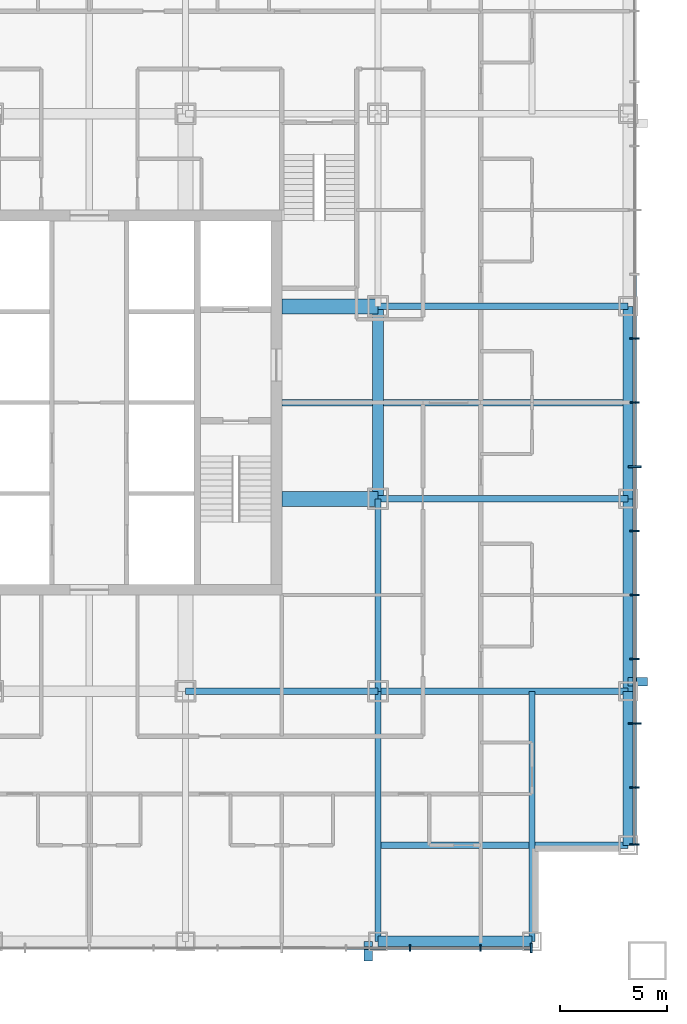
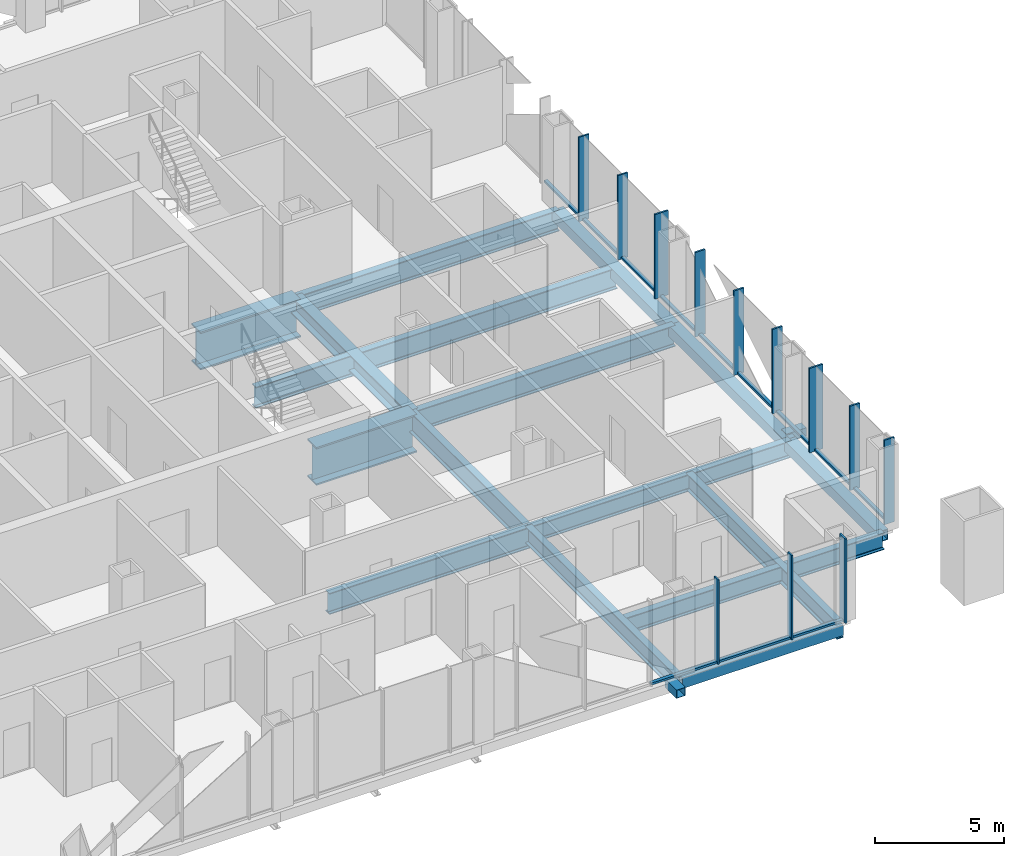
# One storey, part 3 of 13: 26 members, 16 beams, 2 elements without a shape of their own.
"""IFC4 building model written with IfcOpenShell, lengths in metres."""

from ifc_helpers import new_model, si_unit, direction, frame, origin, origin_2d, place, context, subcontext, project, spatial, rectangle, hollow_rectangle, i_section, extrude, material, layer, layer_set, material_profile, profile_set, type_object, element, aggregate, save


model = new_model("IFC4")

# Units and contexts
model_context = context("Model", 3, precision=1e-05, world=origin(), true_north=direction((0.0, 1.0)))
body_context = subcontext(model_context, "Body", "Model", "MODEL_VIEW")
ifc_project = project(units=[si_unit("LENGTHUNIT", "METRE"), si_unit("AREAUNIT", "SQUARE_METRE"), si_unit("VOLUMEUNIT", "CUBIC_METRE"), si_unit("PLANEANGLEUNIT", "RADIAN"), si_unit("MASSUNIT", "GRAM", prefix="KILO")], contexts=[model_context])

# Site, building, storey
site_placement = place(None, origin())
site = spatial("IfcSite", under=ifc_project, at=site_placement, CompositionType="ELEMENT")
building_placement = place(site_placement, origin())
building = spatial("IfcBuilding", under=site, at=building_placement, Name="Malebo Sky Hospital", CompositionType="ELEMENT")
storey_placement = place(building_placement, frame((0.0, 0.0, 39.0)))
storey = spatial("IfcBuildingStorey", under=building, at=storey_placement, Name="L08", CompositionType="ELEMENT", Elevation=39.0)

# Curtain wall, members
ifc_material_1 = material(Name="Anodised aluminium, natural silver", Category="aluminium")
ifc_layer_1 = layer(ifc_material_1, 0.25)
ifc_layer_set_1 = layer_set([ifc_layer_1], Name="WARD CURTAIN WALL NORTH AND SOUTH")
curtain_wall_type_1 = type_object("IfcCurtainWallType", Name="WARD CURTAIN WALL NORTH AND SOUTH", PredefinedType="NOTDEFINED", material=ifc_layer_set_1)
curtain_wall_1_placement = place(storey_placement, origin())
curtain_wall_1 = element("IfcCurtainWall", 1, at=curtain_wall_1_placement, inside=storey, type_object=curtain_wall_type_1, Name="NS curtain wall S", PredefinedType="NOTDEFINED")
ifc_material_profile_1 = material_profile(ifc_material_1, rectangle(XDim=0.14990234375, YDim=0.10009765625, at=origin_2d()), Name="ALUMINIUM TRANSOM 150x100")
ifc_profile_set_1 = profile_set([ifc_material_profile_1], Name="Anodised aluminium, natural silver")
member_type_1 = type_object("IfcMemberType", Name="ALUMINIUM TRANSOM 150x100", PredefinedType="USERDEFINED", material=ifc_profile_set_1)
member_1_placement = place(storey_placement, frame((80.625, 36.5, 0.050048828125), z_axis=(-1.0, 0.0, 0.0), x_axis=(0.0, -1.0, 0.0)))
member_1 = element("IfcMember", 2, at=member_1_placement, type_object=member_type_1, Name="Transom 1", ObjectType="TRANSOM", PredefinedType="USERDEFINED", context=body_context, shape_type="SweptSolid", body=[
    extrude(rectangle(XDim=0.14990234375, YDim=0.10009765625, at=origin_2d()), origin(), (0.0, 0.0, 1.0), 2.28759765625),
])
member_2_placement = place(storey_placement, frame((78.262451171875, 36.5, 0.050048828125), z_axis=(-1.0, 0.0, 0.0), x_axis=(0.0, -1.0, 0.0)))
member_2 = element("IfcMember", 3, at=member_2_placement, type_object=member_type_1, Name="Transom 2", ObjectType="TRANSOM", PredefinedType="USERDEFINED", context=body_context, shape_type="SweptSolid", body=[
    extrude(rectangle(XDim=0.14990234375, YDim=0.10009765625, at=origin_2d()), origin(), (0.0, 0.0, 1.0), 3.224853515625),
])
member_3_placement = place(storey_placement, frame((74.96240234375, 36.5, 0.050048828125), z_axis=(-1.0, 0.0, 0.0), x_axis=(0.0, -1.0, 0.0)))
member_3 = element("IfcMember", 4, at=member_3_placement, type_object=member_type_1, Name="Transom 3", ObjectType="TRANSOM", PredefinedType="USERDEFINED", context=body_context, shape_type="SweptSolid", body=[
    extrude(rectangle(XDim=0.14990234375, YDim=0.10009765625, at=origin_2d()), origin(), (0.0, 0.0, 1.0), 2.9248046875),
])

ifc_layer_2 = layer(ifc_material_1, 0.25)
ifc_layer_set_2 = layer_set([ifc_layer_2], Name="WARD CURTAIN WALL EAST AND WEST")
curtain_wall_type_2 = type_object("IfcCurtainWallType", Name="WARD CURTAIN WALL EAST AND WEST", PredefinedType="NOTDEFINED", material=ifc_layer_set_2)
curtain_wall_2_placement = place(storey_placement, origin())
curtain_wall_2 = element("IfcCurtainWall", 5, at=curtain_wall_2_placement, inside=storey, type_object=curtain_wall_type_2, Name="EW curtain wall E", PredefinedType="NOTDEFINED")
member_4_placement = place(storey_placement, frame((85.5, 67.96240234375, 0.050048828125), z_axis=(0.0, -1.0, 0.0), x_axis=(1.0, 0.0, 0.0)))
member_4 = element("IfcMember", 6, at=member_4_placement, type_object=member_type_1, Name="Transom 6", ObjectType="TRANSOM", PredefinedType="USERDEFINED", context=body_context, shape_type="SweptSolid", body=[
    extrude(rectangle(XDim=0.14990234375, YDim=0.10009765625, at=origin_2d()), origin(), (0.0, 0.0, 1.0), 2.9248046875),
])
member_5_placement = place(storey_placement, frame((85.5, 64.96240234375, 0.050048828125), z_axis=(0.0, -1.0, 0.0), x_axis=(1.0, 0.0, 0.0)))
member_5 = element("IfcMember", 7, at=member_5_placement, type_object=member_type_1, Name="Transom 7", ObjectType="TRANSOM", PredefinedType="USERDEFINED", context=body_context, shape_type="SweptSolid", body=[
    extrude(rectangle(XDim=0.14990234375, YDim=0.10009765625, at=origin_2d()), origin(), (0.0, 0.0, 1.0), 2.9248046875),
])
member_6_placement = place(storey_placement, frame((85.5, 61.96240234375, 0.050048828125), z_axis=(0.0, -1.0, 0.0), x_axis=(1.0, 0.0, 0.0)))
member_6 = element("IfcMember", 8, at=member_6_placement, type_object=member_type_1, Name="Transom 8", ObjectType="TRANSOM", PredefinedType="USERDEFINED", context=body_context, shape_type="SweptSolid", body=[
    extrude(rectangle(XDim=0.14990234375, YDim=0.10009765625, at=origin_2d()), origin(), (0.0, 0.0, 1.0), 2.9248046875),
])
member_7_placement = place(storey_placement, frame((85.5, 58.96240234375, 0.050048828125), z_axis=(0.0, -1.0, 0.0), x_axis=(1.0, 0.0, 0.0)))
member_7 = element("IfcMember", 9, at=member_7_placement, type_object=member_type_1, Name="Transom 9", ObjectType="TRANSOM", PredefinedType="USERDEFINED", context=body_context, shape_type="SweptSolid", body=[
    extrude(rectangle(XDim=0.14990234375, YDim=0.10009765625, at=origin_2d()), origin(), (0.0, 0.0, 1.0), 2.9248046875),
])
member_8_placement = place(storey_placement, frame((85.5, 55.96240234375, 0.050048828125), z_axis=(0.0, -1.0, 0.0), x_axis=(1.0, 0.0, 0.0)))
member_8 = element("IfcMember", 10, at=member_8_placement, type_object=member_type_1, Name="Transom 10", ObjectType="TRANSOM", PredefinedType="USERDEFINED", context=body_context, shape_type="SweptSolid", body=[
    extrude(rectangle(XDim=0.14990234375, YDim=0.10009765625, at=origin_2d()), origin(), (0.0, 0.0, 1.0), 2.9248046875),
])
member_9_placement = place(storey_placement, frame((85.5, 52.96240234375, 0.050048828125), z_axis=(0.0, -1.0, 0.0), x_axis=(1.0, 0.0, 0.0)))
member_9 = element("IfcMember", 11, at=member_9_placement, type_object=member_type_1, Name="Transom 11", ObjectType="TRANSOM", PredefinedType="USERDEFINED", context=body_context, shape_type="SweptSolid", body=[
    extrude(rectangle(XDim=0.14990234375, YDim=0.10009765625, at=origin_2d()), origin(), (0.0, 0.0, 1.0), 2.9248046875),
])
member_10_placement = place(storey_placement, frame((85.5, 49.96240234375, 0.050048828125), z_axis=(0.0, -1.0, 0.0), x_axis=(1.0, 0.0, 0.0)))
member_10 = element("IfcMember", 12, at=member_10_placement, type_object=member_type_1, Name="Transom 12", ObjectType="TRANSOM", PredefinedType="USERDEFINED", context=body_context, shape_type="SweptSolid", body=[
    extrude(rectangle(XDim=0.14990234375, YDim=0.10009765625, at=origin_2d()), origin(), (0.0, 0.0, 1.0), 2.9248046875),
])
member_11_placement = place(storey_placement, frame((85.5, 46.96240234375, 0.050048828125), z_axis=(0.0, -1.0, 0.0), x_axis=(1.0, 0.0, 0.0)))
member_11 = element("IfcMember", 13, at=member_11_placement, type_object=member_type_1, Name="Transom 13", ObjectType="TRANSOM", PredefinedType="USERDEFINED", context=body_context, shape_type="SweptSolid", body=[
    extrude(rectangle(XDim=0.14990234375, YDim=0.10009765625, at=origin_2d()), origin(), (0.0, 0.0, 1.0), 2.9248046875),
])
member_12_placement = place(storey_placement, frame((85.5, 43.96240234375, 0.050048828125), z_axis=(0.0, -1.0, 0.0), x_axis=(1.0, 0.0, 0.0)))
member_12 = element("IfcMember", 14, at=member_12_placement, type_object=member_type_1, Name="Transom 14", ObjectType="TRANSOM", PredefinedType="USERDEFINED", context=body_context, shape_type="SweptSolid", body=[
    extrude(rectangle(XDim=0.14990234375, YDim=0.10009765625, at=origin_2d()), origin(), (0.0, 0.0, 1.0), 2.58740234375),
])

# Members
ifc_material_2 = material(Name="Steel S355", Category="steel")
ifc_material_profile_2 = material_profile(ifc_material_2, hollow_rectangle(XDim=0.39990234375, YDim=0.39990234375, WallThickness=0.02001953125, at=origin_2d()), Name="SHS 400x20")
ifc_profile_set_2 = profile_set([ifc_material_profile_2], Name="Steel S355")
member_type_2 = type_object("IfcMemberType", Name="BRACE STRUT SHS 400x20", PredefinedType="STRUT", material=ifc_profile_set_2)
for number, where, z_axis, x_axis, name in (
    (15, (73.050048828125, 35.89990234375, -0.39990234375), (0.0, 1.0, 0.0), (-1.0, 0.0, 0.0), "Brace strut AS2 L08"),
    (16, (86.10009765625, 48.949951171875, -0.39990234375), (-1.0, 0.0, 0.0), (0.0, -1.0, 0.0), "Brace strut AE1 L08"),
):
    element("IfcMember", number, at=place(storey_placement, frame(where, z_axis=z_axis, x_axis=x_axis)), inside=storey, type_object=member_type_2, Name=name, PredefinedType="STRUT", context=body_context, shape_type="SweptSolid", body=[
        extrude(hollow_rectangle(XDim=0.39990234375, YDim=0.39990234375, WallThickness=0.02001953125, at=origin_2d()), origin(), (0.0, 0.0, 1.0), 0.900146484375),
    ])

# Member
ifc_material_profile_3 = material_profile(ifc_material_1, rectangle(XDim=0.074951171875, YDim=0.300048828125, at=origin_2d()), Name="CW1 ALUMINIUM FIN MULLION 75x300")
ifc_profile_set_3 = profile_set([ifc_material_profile_3], Name="Anodised aluminium, natural silver")
member_type_3 = type_object("IfcMemberType", Name="CW1 ALUMINIUM FIN MULLION 75x300", PredefinedType="MULLION", material=ifc_profile_set_3)
member_13_placement = place(storey_placement, frame((78.300048828125, 36.5, 0.0), z_axis=(0.0, 0.0, 1.0), x_axis=(-1.0, 0.0, 0.0)))
member_13 = element("IfcMember", 17, at=member_13_placement, type_object=member_type_3, Name="Fin mullion 2", PredefinedType="MULLION", context=body_context, shape_type="SweptSolid", body=[
    extrude(rectangle(XDim=0.074951171875, YDim=0.300048828125, at=origin_2d()), origin(), (0.0, 0.0, 1.0), 4.0),
])

member_14_placement = place(storey_placement, frame((75.0, 36.5, 0.0), z_axis=(0.0, 0.0, 1.0), x_axis=(-1.0, 0.0, 0.0)))
member_14 = element("IfcMember", 18, at=member_14_placement, type_object=member_type_3, Name="Fin mullion 3", PredefinedType="MULLION", context=body_context, shape_type="SweptSolid", body=[
    extrude(rectangle(XDim=0.074951171875, YDim=0.300048828125, at=origin_2d()), origin(), (0.0, 0.0, 1.0), 4.0),
])

ifc_material_profile_4 = material_profile(ifc_material_1, rectangle(XDim=0.074951171875, YDim=0.449951171875, at=origin_2d()), Name="CW1 ALUMINIUM FIN MULLION 75x450")
ifc_profile_set_4 = profile_set([ifc_material_profile_4], Name="Anodised aluminium, natural silver")
member_type_4 = type_object("IfcMemberType", Name="CW1 ALUMINIUM FIN MULLION 75x450", PredefinedType="MULLION", material=ifc_profile_set_4)
member_15_placement = place(storey_placement, frame((80.66259765625, 36.5, 0.0), z_axis=(0.0, 0.0, 1.0), x_axis=(-1.0, 0.0, 0.0)))
member_15 = element("IfcMember", 19, at=member_15_placement, type_object=member_type_4, Name="Fin mullion 1", PredefinedType="MULLION", context=body_context, shape_type="SweptSolid", body=[
    extrude(rectangle(XDim=0.074951171875, YDim=0.449951171875, at=origin_2d()), origin(), (0.0, 0.0, 1.0), 4.0),
])

aggregate(curtain_wall_1, [member_15, member_13, member_14, member_1, member_2, member_3])

ifc_material_profile_5 = material_profile(ifc_material_1, rectangle(XDim=0.074951171875, YDim=0.449951171875, at=origin_2d()), Name="CW2 ALUMINIUM FIN MULLION 75x450")
ifc_profile_set_5 = profile_set([ifc_material_profile_5], Name="Anodised aluminium, natural silver")
member_type_5 = type_object("IfcMemberType", Name="CW2 ALUMINIUM FIN MULLION 75x450", PredefinedType="MULLION", material=ifc_profile_set_5)
member_16_placement = place(storey_placement, frame((85.5, 65.0, 0.0), z_axis=(0.0, 0.0, 1.0), x_axis=(0.0, -1.0, 0.0)))
member_16 = element("IfcMember", 20, at=member_16_placement, type_object=member_type_5, Name="Fin mullion 7", PredefinedType="MULLION", context=body_context, shape_type="SweptSolid", body=[
    extrude(rectangle(XDim=0.074951171875, YDim=0.449951171875, at=origin_2d()), origin(), (0.0, 0.0, 1.0), 4.0),
])

member_17_placement = place(storey_placement, frame((85.5, 62.0, 0.0), z_axis=(0.0, 0.0, 1.0), x_axis=(0.0, -1.0, 0.0)))
member_17 = element("IfcMember", 21, at=member_17_placement, type_object=member_type_5, Name="Fin mullion 8", PredefinedType="MULLION", context=body_context, shape_type="SweptSolid", body=[
    extrude(rectangle(XDim=0.074951171875, YDim=0.449951171875, at=origin_2d()), origin(), (0.0, 0.0, 1.0), 4.0),
])

member_18_placement = place(storey_placement, frame((85.5, 56.0, 0.0), z_axis=(0.0, 0.0, 1.0), x_axis=(0.0, -1.0, 0.0)))
member_18 = element("IfcMember", 22, at=member_18_placement, type_object=member_type_5, Name="Fin mullion 10", PredefinedType="MULLION", context=body_context, shape_type="SweptSolid", body=[
    extrude(rectangle(XDim=0.074951171875, YDim=0.449951171875, at=origin_2d()), origin(), (0.0, 0.0, 1.0), 4.0),
])

member_19_placement = place(storey_placement, frame((85.5, 53.0, 0.0), z_axis=(0.0, 0.0, 1.0), x_axis=(0.0, -1.0, 0.0)))
member_19 = element("IfcMember", 23, at=member_19_placement, type_object=member_type_5, Name="Fin mullion 11", PredefinedType="MULLION", context=body_context, shape_type="SweptSolid", body=[
    extrude(rectangle(XDim=0.074951171875, YDim=0.449951171875, at=origin_2d()), origin(), (0.0, 0.0, 1.0), 4.0),
])

member_20_placement = place(storey_placement, frame((85.5, 50.0, 0.0), z_axis=(0.0, 0.0, 1.0), x_axis=(0.0, -1.0, 0.0)))
member_20 = element("IfcMember", 24, at=member_20_placement, type_object=member_type_5, Name="Fin mullion 12", PredefinedType="MULLION", context=body_context, shape_type="SweptSolid", body=[
    extrude(rectangle(XDim=0.074951171875, YDim=0.449951171875, at=origin_2d()), origin(), (0.0, 0.0, 1.0), 4.0),
])

member_21_placement = place(storey_placement, frame((85.5, 44.0, 0.0), z_axis=(0.0, 0.0, 1.0), x_axis=(0.0, -1.0, 0.0)))
member_21 = element("IfcMember", 25, at=member_21_placement, type_object=member_type_5, Name="Fin mullion 14", PredefinedType="MULLION", context=body_context, shape_type="SweptSolid", body=[
    extrude(rectangle(XDim=0.074951171875, YDim=0.449951171875, at=origin_2d()), origin(), (0.0, 0.0, 1.0), 4.0),
])

member_22_placement = place(storey_placement, frame((85.5, 41.33740234375, 0.0), z_axis=(0.0, 0.0, 1.0), x_axis=(0.0, -1.0, 0.0)))
member_22 = element("IfcMember", 26, at=member_22_placement, type_object=member_type_5, Name="Fin mullion 15", PredefinedType="MULLION", context=body_context, shape_type="SweptSolid", body=[
    extrude(rectangle(XDim=0.074951171875, YDim=0.449951171875, at=origin_2d()), origin(), (0.0, 0.0, 1.0), 4.0),
])

ifc_material_profile_6 = material_profile(ifc_material_1, rectangle(XDim=0.074951171875, YDim=0.60009765625, at=origin_2d()), Name="CW2 ALUMINIUM FIN MULLION 75x600")
ifc_profile_set_6 = profile_set([ifc_material_profile_6], Name="Anodised aluminium, natural silver")
member_type_6 = type_object("IfcMemberType", Name="CW2 ALUMINIUM FIN MULLION 75x600", PredefinedType="MULLION", material=ifc_profile_set_6)
member_23_placement = place(storey_placement, frame((85.5, 59.0, 0.0), z_axis=(0.0, 0.0, 1.0), x_axis=(0.0, -1.0, 0.0)))
member_23 = element("IfcMember", 27, at=member_23_placement, type_object=member_type_6, Name="Fin mullion 9", PredefinedType="MULLION", context=body_context, shape_type="SweptSolid", body=[
    extrude(rectangle(XDim=0.074951171875, YDim=0.60009765625, at=origin_2d()), origin(), (0.0, 0.0, 1.0), 4.0),
])

member_24_placement = place(storey_placement, frame((85.5, 47.0, 0.0), z_axis=(0.0, 0.0, 1.0), x_axis=(0.0, -1.0, 0.0)))
member_24 = element("IfcMember", 28, at=member_24_placement, type_object=member_type_6, Name="Fin mullion 13", PredefinedType="MULLION", context=body_context, shape_type="SweptSolid", body=[
    extrude(rectangle(XDim=0.074951171875, YDim=0.60009765625, at=origin_2d()), origin(), (0.0, 0.0, 1.0), 4.0),
])

aggregate(curtain_wall_2, [member_16, member_17, member_23, member_18, member_19, member_20, member_24, member_21, member_22, member_4, member_5, member_6, member_7, member_8, member_9, member_10, member_11, member_12])

# Beams
ifc_material_3 = material(Name="Steel S460", Category="steel")
ifc_material_profile_7 = material_profile(ifc_material_3, hollow_rectangle(XDim=0.5, YDim=0.5, WallThickness=0.030029296875, at=origin_2d()), Name="BOX 500x500x30")
ifc_profile_set_7 = profile_set([ifc_material_profile_7], Name="Steel S460")
beam_type_1 = type_object("IfcBeamType", Name="EDGE BEAM BOX 500x500x30", PredefinedType="BEAM", material=ifc_profile_set_7)
beam_1_placement = place(storey_placement, frame((85.199951171875, 41.300048828125, -0.5), z_axis=(0.0, 1.0, 0.0), x_axis=(-1.0, 0.0, 0.0)))
element("IfcBeam", 29, at=beam_1_placement, inside=storey, type_object=beam_type_1, Name="Beam 029 L08", PredefinedType="BEAM", context=body_context, shape_type="SweptSolid", body=[
    extrude(hollow_rectangle(XDim=0.5, YDim=0.5, WallThickness=0.030029296875, at=origin_2d()), origin(), (0.0, 0.0, 1.0), 7.199951171875),
])
for number, where, z_axis, x_axis, name in (
    (30, (85.199951171875, 48.5, -0.5), (0.0, 1.0, 0.0), (-1.0, 0.0, 0.0), "Beam 030 L08"),
    (31, (85.199951171875, 57.5, -0.5), (0.0, 1.0, 0.0), (-1.0, 0.0, 0.0), "Beam 031 L08"),
):
    element("IfcBeam", number, at=place(storey_placement, frame(where, z_axis=z_axis, x_axis=x_axis)), inside=storey, type_object=beam_type_1, Name=name, PredefinedType="BEAM", context=body_context, shape_type="SweptSolid", body=[
        extrude(hollow_rectangle(XDim=0.5, YDim=0.5, WallThickness=0.030029296875, at=origin_2d()), origin(), (0.0, 0.0, 1.0), 9.0),
    ])
beam_2_placement = place(storey_placement, frame((73.5, 36.800048828125, -0.5), z_axis=(1.0, 0.0, 0.0), x_axis=(0.0, 1.0, 0.0)))
element("IfcBeam", 32, at=beam_2_placement, inside=storey, type_object=beam_type_1, Name="Beam 038 L08", PredefinedType="BEAM", context=body_context, shape_type="SweptSolid", body=[
    extrude(hollow_rectangle(XDim=0.5, YDim=0.5, WallThickness=0.030029296875, at=origin_2d()), origin(), (0.0, 0.0, 1.0), 7.199951171875),
])
ifc_material_profile_8 = material_profile(ifc_material_2, i_section(OverallWidth=0.300048828125, OverallDepth=1.0, WebThickness=0.01904296875, FlangeThickness=0.035888671875, FilletRadius=0.030029296875, at=origin_2d()), Name="HEB 1000")
ifc_profile_set_8 = profile_set([ifc_material_profile_8], Name="Steel S355")
beam_type_2 = type_object("IfcBeamType", Name="FLOOR BEAM HEB 1000", PredefinedType="BEAM", material=ifc_profile_set_8)
for number, where, z_axis, x_axis, name in (
    (33, (73.5, 48.5, -0.75), (0.0, 1.0, 0.0), (-1.0, 0.0, 0.0), "Beam 023 L08"),
    (34, (64.5, 48.5, -0.75), (1.0, 0.0, 0.0), (0.0, 1.0, 0.0), "Beam 044 L08"),
):
    element("IfcBeam", number, at=place(storey_placement, frame(where, z_axis=z_axis, x_axis=x_axis)), inside=storey, type_object=beam_type_2, Name=name, PredefinedType="BEAM", context=body_context, shape_type="SweptSolid", body=[
        extrude(i_section(OverallWidth=0.300048828125, OverallDepth=1.0, WebThickness=0.01904296875, FlangeThickness=0.035888671875, FilletRadius=0.030029296875, at=origin_2d()), origin(), (0.0, 0.0, 1.0), 9.0),
    ])
beam_3_placement = place(storey_placement, frame((73.5, 57.5, -0.75), z_axis=(1.0, 0.0, 0.0), x_axis=(0.0, 1.0, 0.0)))
element("IfcBeam", 35, at=beam_3_placement, inside=storey, type_object=beam_type_2, Name="Beam 049 L08", PredefinedType="BEAM", context=body_context, shape_type="SweptSolid", body=[
    extrude(i_section(OverallWidth=0.300048828125, OverallDepth=1.0, WebThickness=0.01904296875, FlangeThickness=0.035888671875, FilletRadius=0.030029296875, at=origin_2d()), origin(), (0.0, 0.0, 1.0), 11.699951171875),
])
beam_4_placement = place(storey_placement, frame((69.0, 62.0, -0.75), z_axis=(1.0, 0.0, 0.0), x_axis=(0.0, 1.0, 0.0)))
element("IfcBeam", 36, at=beam_4_placement, inside=storey, type_object=beam_type_2, Name="Beam 051 L08", PredefinedType="BEAM", context=body_context, shape_type="SweptSolid", body=[
    extrude(i_section(OverallWidth=0.300048828125, OverallDepth=1.0, WebThickness=0.01904296875, FlangeThickness=0.035888671875, FilletRadius=0.030029296875, at=origin_2d()), origin(), (0.0, 0.0, 1.0), 16.199951171875),
])
beam_5_placement = place(storey_placement, frame((73.5, 66.5, -0.75), z_axis=(1.0, 0.0, 0.0), x_axis=(0.0, 1.0, 0.0)))
element("IfcBeam", 37, at=beam_5_placement, inside=storey, type_object=beam_type_2, Name="Beam 055 L08", PredefinedType="BEAM", context=body_context, shape_type="SweptSolid", body=[
    extrude(i_section(OverallWidth=0.300048828125, OverallDepth=1.0, WebThickness=0.01904296875, FlangeThickness=0.035888671875, FilletRadius=0.030029296875, at=origin_2d()), origin(), (0.0, 0.0, 1.0), 11.699951171875),
])
ifc_material_profile_9 = material_profile(ifc_material_2, i_section(OverallWidth=0.300048828125, OverallDepth=0.800048828125, WebThickness=0.017578125, FlangeThickness=0.032958984375, FilletRadius=0.030029296875, at=origin_2d()), Name="HEB 800")
ifc_profile_set_9 = profile_set([ifc_material_profile_9], Name="Steel S355")
beam_type_3 = type_object("IfcBeamType", Name="FLOOR BEAM HEB 800", PredefinedType="BEAM", material=ifc_profile_set_9)
for number, where, z_axis, x_axis, name in (
    (38, (80.699951171875, 36.800048828125, -0.64990234375), (0.0, 1.0, 0.0), (-1.0, 0.0, 0.0), "Beam 027 L08"),
    (39, (73.5, 41.300048828125, -0.64990234375), (1.0, 0.0, 0.0), (0.0, 1.0, 0.0), "Beam 040 L08"),
):
    element("IfcBeam", number, at=place(storey_placement, frame(where, z_axis=z_axis, x_axis=x_axis)), inside=storey, type_object=beam_type_3, Name=name, PredefinedType="BEAM", context=body_context, shape_type="SweptSolid", body=[
        extrude(i_section(OverallWidth=0.300048828125, OverallDepth=0.800048828125, WebThickness=0.017578125, FlangeThickness=0.032958984375, FilletRadius=0.030029296875, at=origin_2d()), origin(), (0.0, 0.0, 1.0), 11.699951171875),
    ])
ifc_material_profile_10 = material_profile(ifc_material_2, i_section(OverallWidth=0.699951171875, OverallDepth=1.800048828125, WebThickness=0.034912109375, FlangeThickness=0.070068359375, at=origin_2d()), Name="PG 1800x700x35x70")
ifc_profile_set_10 = profile_set([ifc_material_profile_10], Name="Steel S355")
beam_type_4 = type_object("IfcBeamType", Name="FLOOR BEAM PG 1800x700x35x70", PredefinedType="BEAM", material=ifc_profile_set_10)
for number, where, z_axis, x_axis, name in (
    (40, (69.0, 57.5, -1.14990234375), (1.0, 0.0, 0.0), (0.0, 1.0, 0.0), "Beam 048 L08"),
    (41, (69.0, 66.5, -1.14990234375), (1.0, 0.0, 0.0), (0.0, 1.0, 0.0), "Beam 054 L08"),
):
    element("IfcBeam", number, at=place(storey_placement, frame(where, z_axis=z_axis, x_axis=x_axis)), inside=storey, type_object=beam_type_4, Name=name, PredefinedType="BEAM", context=body_context, shape_type="SweptSolid", body=[
        extrude(i_section(OverallWidth=0.699951171875, OverallDepth=1.800048828125, WebThickness=0.034912109375, FlangeThickness=0.070068359375, at=origin_2d()), origin(), (0.0, 0.0, 1.0), 4.5),
    ])
ifc_material_profile_11 = material_profile(ifc_material_2, i_section(OverallWidth=0.300048828125, OverallDepth=0.800048828125, WebThickness=0.017578125, FlangeThickness=0.032958984375, FilletRadius=0.030029296875, at=origin_2d()), Name="HEB 800")
ifc_profile_set_11 = profile_set([ifc_material_profile_11], Name="Steel S355")
beam_type_5 = type_object("IfcBeamType", Name="FLOOR GIRDER HEB 800", PredefinedType="BEAM", material=ifc_profile_set_11)
for number, where, z_axis, x_axis, name in (
    (42, (73.5, 36.800048828125, -0.64990234375), (0.0, 1.0, 0.0), (-1.0, 0.0, 0.0), "Beam 022 L08"),
    (43, (73.5, 48.5, -0.64990234375), (1.0, 0.0, 0.0), (0.0, 1.0, 0.0), "Beam 045 L08"),
):
    element("IfcBeam", number, at=place(storey_placement, frame(where, z_axis=z_axis, x_axis=x_axis)), inside=storey, type_object=beam_type_5, Name=name, PredefinedType="BEAM", context=body_context, shape_type="SweptSolid", body=[
        extrude(i_section(OverallWidth=0.300048828125, OverallDepth=0.800048828125, WebThickness=0.017578125, FlangeThickness=0.032958984375, FilletRadius=0.030029296875, at=origin_2d()), origin(), (0.0, 0.0, 1.0), 11.699951171875),
    ])
ifc_material_profile_12 = material_profile(ifc_material_2, i_section(OverallWidth=0.5, OverallDepth=0.800048828125, WebThickness=0.030029296875, FlangeThickness=0.050048828125, at=origin_2d()), Name="PG 800x500x30x50")
ifc_profile_set_12 = profile_set([ifc_material_profile_12], Name="Steel S355")
beam_type_6 = type_object("IfcBeamType", Name="RING GIRDER PG 800x500x30x50", PredefinedType="BEAM", material=ifc_profile_set_12)
beam_6_placement = place(storey_placement, frame((73.5, 57.5, -0.64990234375), z_axis=(0.0, 1.0, 0.0), x_axis=(-1.0, 0.0, 0.0)))
element("IfcBeam", 44, at=beam_6_placement, inside=storey, type_object=beam_type_6, Name="Beam 024 L08", PredefinedType="BEAM", context=body_context, shape_type="SweptSolid", body=[
    extrude(i_section(OverallWidth=0.5, OverallDepth=0.800048828125, WebThickness=0.030029296875, FlangeThickness=0.050048828125, at=origin_2d()), origin(), (0.0, 0.0, 1.0), 9.0),
])

save(model, "model.ifc")
